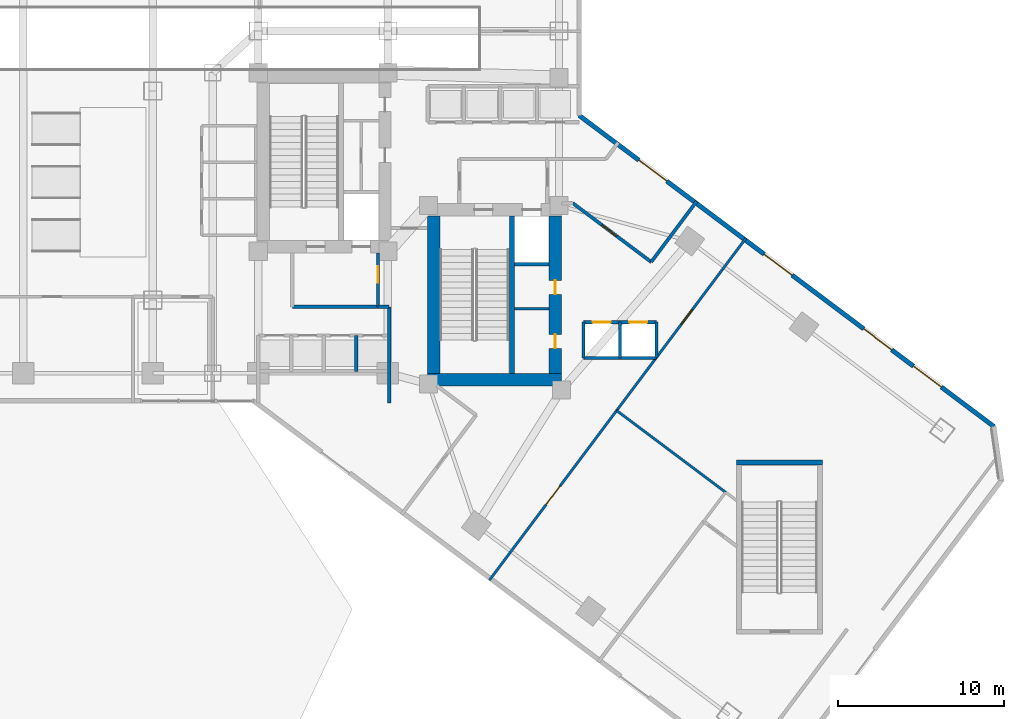
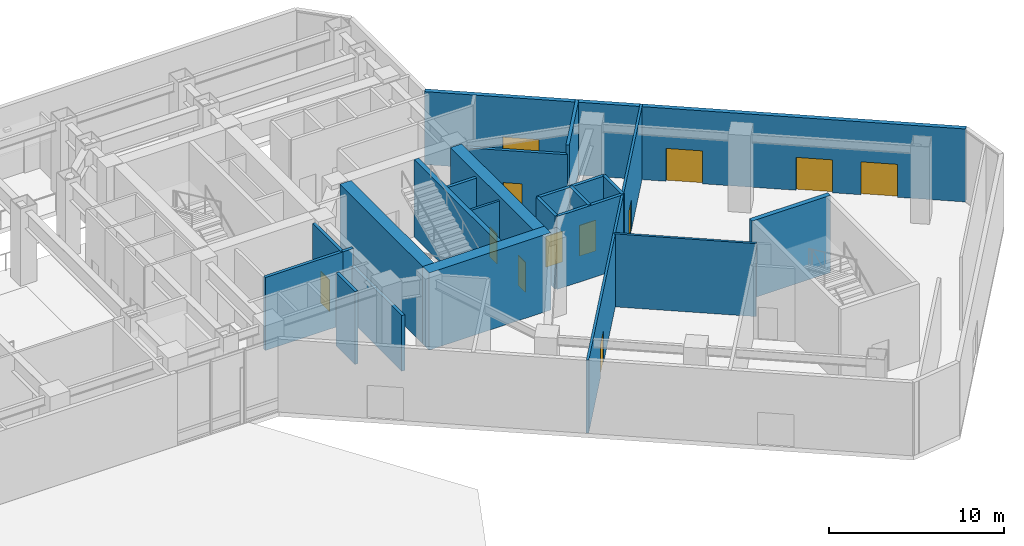
# One storey, part 5 of 13: 23 walls, 12 doors, 12 openings.
"""IFC4 building model written with IfcOpenShell, lengths in metres."""

from ifc_helpers import new_model, si_unit, direction, frame, frame_2d, origin, place, context, subcontext, project, spatial, rectangle, extrude, material, layer, layer_set, type_object, element, fill, save


model = new_model("IFC4")

# Units and contexts
model_context = context("Model", 3, precision=1e-05, world=origin(), true_north=direction((0.0, 1.0)))
body_context = subcontext(model_context, "Body", "Model", "MODEL_VIEW")
ifc_project = project(units=[si_unit("LENGTHUNIT", "METRE"), si_unit("AREAUNIT", "SQUARE_METRE"), si_unit("VOLUMEUNIT", "CUBIC_METRE"), si_unit("PLANEANGLEUNIT", "RADIAN"), si_unit("MASSUNIT", "GRAM", prefix="KILO")], contexts=[model_context])

# Site, building, storey
site_placement = place(None, origin())
site = spatial("IfcSite", under=ifc_project, at=site_placement, CompositionType="ELEMENT")
building_placement = place(site_placement, origin())
building = spatial("IfcBuilding", under=site, at=building_placement, Name="Hatsunagi Terrace Concourse", CompositionType="ELEMENT")
storey_placement = place(building_placement, origin())
storey = spatial("IfcBuildingStorey", under=building, at=storey_placement, Name="L01", CompositionType="ELEMENT", Elevation=0.0)

# Walls
ifc_material_1 = material(Name="Concrete Fc60", Category="concrete")
ifc_layer_1 = layer(ifc_material_1, 0.75)
ifc_layer_set_1 = layer_set([ifc_layer_1], Name="CoreShearWall_Fc60_750")
wall_type_1 = type_object("IfcWallType", Name="CoreShearWall_Fc60_750", PredefinedType="SHEAR", material=ifc_layer_set_1)
wall_1_placement = place(storey_placement, frame((35.739990234375, 24.81494140625, 0.0), z_axis=(0.0, 0.0, 1.0), x_axis=(1.0, 0.0, 0.0)))
element("IfcWall", 1, at=wall_1_placement, inside=storey, type_object=wall_type_1, Name="Core B Shear Wall S L01", PredefinedType="SHEAR", context=body_context, shape_type="SweptSolid", body=[
    extrude(rectangle(XDim=8.06005859375, YDim=0.75, at=frame_2d((4.030029296875, 0.0))), origin(), (0.0, 0.0, 1.0), 5.39990234375),
])
wall_2_placement = place(storey_placement, frame((36.114990234375, 25.18994140625, 0.0), z_axis=(0.0, 0.0, 1.0), x_axis=(0.0, 1.0, 0.0)))
element("IfcWall", 2, at=wall_2_placement, inside=storey, type_object=wall_type_1, Name="Core B Shear Wall W L01", PredefinedType="SHEAR", context=body_context, shape_type="SweptSolid", body=[
    extrude(rectangle(XDim=9.47998046875, YDim=0.75, at=frame_2d((4.739990234375, 0.0))), origin(), (0.0, 0.0, 1.0), 5.39990234375),
])

# Wall, openings, doors
wall_3_placement = place(storey_placement, frame((43.425048828125, 25.18994140625, 0.0), z_axis=(0.0, 0.0, 1.0), x_axis=(0.0, 1.0, 0.0)))
wall_3 = element("IfcWall", 3, at=wall_3_placement, inside=storey, type_object=wall_type_1, Name="Core B Shear Wall E L01", PredefinedType="SHEAR", context=body_context, shape_type="SweptSolid", body=[
    extrude(rectangle(XDim=9.47998046875, YDim=0.75, at=frame_2d((4.739990234375, 0.0))), origin(), (0.0, 0.0, 1.0), 5.39990234375),
])
opening_1_placement = place(wall_3_placement, frame((1.510009765625, 0.0, 0.0)))
opening_1 = element("IfcOpeningElement", 4, at=opening_1_placement, cuts=wall_3, Name="Opening DR-085", PredefinedType="OPENING", context=body_context, shape_type="SweptSolid", body=[
    extrude(rectangle(XDim=0.85009765625, YDim=2.080078125, at=frame_2d((0.425048828125, 1.0400390625))), frame((0.0, 0.385009765625, 0.0), z_axis=(0.0, -1.0, 0.0), x_axis=(1.0, 0.0, 0.0)), (0.0, 0.0, 1.0), 0.77001953125),
])
opening_2_placement = place(wall_3_placement, frame((4.760009765625, 0.0, 0.0)))
opening_2 = element("IfcOpeningElement", 5, at=opening_2_placement, cuts=wall_3, Name="Opening DR-085", PredefinedType="OPENING", context=body_context, shape_type="SweptSolid", body=[
    extrude(rectangle(XDim=0.85009765625, YDim=2.080078125, at=frame_2d((0.425048828125, 1.0400390625))), frame((0.0, 0.385009765625, 0.0), z_axis=(0.0, -1.0, 0.0), x_axis=(1.0, 0.0, 0.0)), (0.0, 0.0, 1.0), 0.77001953125),
])
ifc_material_2 = material(Name="Painted steel", Category="steel")
door_type_1 = type_object("IfcDoorType", Name="RiserAccessDoor_EI60_850", OperationType="NOTDEFINED", PredefinedType="DOOR", material=ifc_material_2)
door_1_placement = place(opening_1_placement, origin())
door_1 = element("IfcDoor", 6, at=door_1_placement, inside=storey, type_object=door_type_1, Name="Core B Riser Door L01-1", OperationType="SINGLE_SWING_RIGHT", OverallHeight=2.080078125, OverallWidth=0.85009765625, PredefinedType="DOOR", context=body_context, shape_type="SweptSolid", body=[
    extrude(rectangle(XDim=0.85009765625, YDim=2.080078125, at=frame_2d((0.425048828125, 1.0400390625))), frame((0.0, 0.02490234375, 0.0), z_axis=(0.0, -1.0, 0.0), x_axis=(1.0, 0.0, 0.0)), (0.0, 0.0, 1.0), 0.050048828125),
])
fill(opening_1, door_1)
door_2_placement = place(opening_2_placement, origin())
door_2 = element("IfcDoor", 7, at=door_2_placement, inside=storey, type_object=door_type_1, Name="Core B Riser Door L01-2", OperationType="SINGLE_SWING_RIGHT", OverallHeight=2.080078125, OverallWidth=0.85009765625, PredefinedType="DOOR", context=body_context, shape_type="SweptSolid", body=[
    extrude(rectangle(XDim=0.85009765625, YDim=2.080078125, at=frame_2d((0.425048828125, 1.0400390625))), frame((0.0, 0.02490234375, 0.0), z_axis=(0.0, -1.0, 0.0), x_axis=(1.0, 0.0, 0.0)), (0.0, 0.0, 1.0), 0.050048828125),
])
fill(opening_2, door_2)

# Walls
ifc_material_3 = material(Name="Concrete Fc48", Category="concrete")
ifc_layer_2 = layer(ifc_material_3, 0.300048828125)
ifc_layer_set_2 = layer_set([ifc_layer_2], Name="CoreStairDivider_Fc48_300")
wall_type_2 = type_object("IfcWallType", Name="CoreStairDivider_Fc48_300", PredefinedType="SHEAR", material=ifc_layer_set_2)
wall_4_placement = place(storey_placement, frame((40.81005859375, 25.18994140625, 0.0), z_axis=(0.0, 0.0, 1.0), x_axis=(0.0, 1.0, 0.0)))
element("IfcWall", 8, at=wall_4_placement, inside=storey, type_object=wall_type_2, Name="Core B Shear Wall D L01", PredefinedType="SHEAR", context=body_context, shape_type="SweptSolid", body=[
    extrude(rectangle(XDim=9.47998046875, YDim=0.300048828125, at=frame_2d((4.739990234375, 0.0))), origin(), (0.0, 0.0, 1.0), 5.39990234375),
])
wall_5_placement = place(storey_placement, frame((54.340087890625, 19.820068359375, 0.0), z_axis=(0.0, 0.0, 1.0), x_axis=(1.0, 0.0, 0.0)))
element("IfcWall", 9, at=wall_5_placement, inside=storey, type_object=wall_type_2, Name="Podium Stair P2 Shear Wall N L01", PredefinedType="SHEAR", context=body_context, shape_type="SweptSolid", body=[
    extrude(rectangle(XDim=5.169921875, YDim=0.300048828125, at=frame_2d((2.5849609375, 0.0))), origin(), (0.0, 0.0, 1.0), 5.39990234375),
])
ifc_material_4 = material(Name="Acoustic mineral board", Category="gypsum")
ifc_layer_3 = layer(ifc_material_4, 0.14990234375)
ifc_layer_set_3 = layer_set([ifc_layer_3], Name="PartitionWall_EI60_150")
wall_type_3 = type_object("IfcWallType", Name="PartitionWall_EI60_150", PredefinedType="PARTITIONING", material=ifc_layer_set_3)
wall_6_placement = place(storey_placement, frame((40.969970703125, 29.10009765625, 0.0), z_axis=(0.0, 0.0, 1.0), x_axis=(1.0, 0.0, 0.0)))
element("IfcWall", 10, at=wall_6_placement, inside=storey, type_object=wall_type_3, Name="Interior Partition IW-L01-005", PredefinedType="PARTITIONING", context=body_context, shape_type="SweptSolid", body=[
    extrude(rectangle(XDim=2.080078125, YDim=0.14990234375, at=frame_2d((1.0400390625, 0.0))), origin(), (0.0, 0.0, 1.0), 5.10009765625),
])
wall_7_placement = place(storey_placement, frame((47.1201171875, 22.9599609375, 0.0), z_axis=(0.0, 0.0, 1.0), x_axis=(0.799996427111, -0.600004763822, 0.0)))
element("IfcWall", 11, at=wall_7_placement, inside=storey, type_object=wall_type_3, Name="Interior Partition IW-L01-056", PredefinedType="PARTITIONING", context=body_context, shape_type="SweptSolid", body=[
    extrude(rectangle(XDim=8.19970703125, YDim=0.14990234375, at=frame_2d((4.099853515625, 0.0))), origin(), (0.0, 0.0, 1.0), 5.10009765625),
])

# Wall, opening, door
wall_8_placement = place(storey_placement, frame((39.464111328125, 12.751953125, 0.0), z_axis=(0.0, 0.0, 1.0), x_axis=(0.6, 0.8, 0.0)))
wall_8 = element("IfcWall", 12, at=wall_8_placement, inside=storey, type_object=wall_type_3, Name="Interior Partition IW-L01-057", PredefinedType="PARTITIONING", context=body_context, shape_type="SweptSolid", body=[
    extrude(rectangle(XDim=12.760009765625, YDim=0.14990234375, at=frame_2d((6.3798828125, 0.0))), origin(), (0.0, 0.0, 1.0), 5.10009765625),
])
opening_3_placement = place(wall_8_placement, frame((5.679931640625, 0.0, 0.0)))
opening_3 = element("IfcOpeningElement", 13, at=opening_3_placement, cuts=wall_8, Name="Opening DR-140", PredefinedType="OPENING", context=body_context, shape_type="SweptSolid", body=[
    extrude(rectangle(XDim=1.39990234375, YDim=2.300048828125, at=frame_2d((0.699951171875, 1.14990234375))), frame((0.0, 0.0849609375, 0.0), z_axis=(0.0, -1.0, 0.0), x_axis=(1.0, 0.0, 0.0)), (0.0, 0.0, 1.0), 0.169921875),
])
ifc_material_5 = material(Name="Hardwood timber", Category="wood")
door_type_2 = type_object("IfcDoorType", Name="LoungeDiningDoubleDoor_1400", OperationType="DOUBLE_DOOR_SINGLE_SWING", PredefinedType="DOOR", material=ifc_material_5)
door_3_placement = place(opening_3_placement, origin())
door_3 = element("IfcDoor", 14, at=door_3_placement, inside=storey, type_object=door_type_2, Name="Hotel Entrance Lobby L01-HLOB Door", OperationType="DOUBLE_DOOR_SINGLE_SWING", OverallHeight=2.300048828125, OverallWidth=1.39990234375, PredefinedType="DOOR", context=body_context, shape_type="SweptSolid", body=[
    extrude(rectangle(XDim=1.39990234375, YDim=2.300048828125, at=frame_2d((0.699951171875, 1.14990234375))), frame((0.0, 0.02490234375, 0.0), z_axis=(0.0, -1.0, 0.0), x_axis=(1.0, 0.0, 0.0)), (0.0, 0.0, 1.0), 0.050048828125),
])
fill(opening_3, door_3)

wall_9_placement = place(storey_placement, frame((47.1201171875, 22.9599609375, 0.0), z_axis=(0.0, 0.0, 1.0), x_axis=(0.599996985882, 0.80000226058, 0.0)))
wall_9 = element("IfcWall", 15, at=wall_9_placement, inside=storey, type_object=wall_type_3, Name="Interior Partition IW-L01-060", PredefinedType="PARTITIONING", context=body_context, shape_type="SweptSolid", body=[
    extrude(rectangle(XDim=12.9599609375, YDim=0.14990234375, at=frame_2d((6.47998046875, 0.0))), origin(), (0.0, 0.0, 1.0), 5.10009765625),
])
opening_4_placement = place(wall_9_placement, frame((6.485107421875, 0.0, 0.0)))
opening_4 = element("IfcOpeningElement", 16, at=opening_4_placement, cuts=wall_9, Name="Opening DR-110W", PredefinedType="OPENING", context=body_context, shape_type="SweptSolid", body=[
    extrude(rectangle(XDim=1.10009765625, YDim=2.159912109375, at=frame_2d((0.550048828125, 1.080078125))), frame((0.0, 0.0849609375, 0.0), z_axis=(0.0, -1.0, 0.0), x_axis=(1.0, 0.0, 0.0)), (0.0, 0.0, 1.0), 0.169921875),
])
ifc_material_6 = material(Name="Hardwood timber", Category="wood")
door_type_3 = type_object("IfcDoorType", Name="SuiteWideDoor_EI30_1100", OperationType="NOTDEFINED", PredefinedType="DOOR", material=ifc_material_6)
door_4_placement = place(opening_4_placement, origin())
door_4 = element("IfcDoor", 17, at=door_4_placement, inside=storey, type_object=door_type_3, Name="Retail Gallery L01-RET2 Door", OperationType="SINGLE_SWING_RIGHT", OverallHeight=2.159912109375, OverallWidth=1.10009765625, PredefinedType="DOOR", context=body_context, shape_type="SweptSolid", body=[
    extrude(rectangle(XDim=1.10009765625, YDim=2.159912109375, at=frame_2d((0.550048828125, 1.080078125))), frame((0.0, 0.02490234375, 0.0), z_axis=(0.0, -1.0, 0.0), x_axis=(1.0, 0.0, 0.0)), (0.0, 0.0, 1.0), 0.050048828125),
])
fill(opening_4, door_4)

# Walls
ifc_material_7 = material(Name="Acoustic mineral board", Category="gypsum")
ifc_layer_4 = layer(ifc_material_7, 0.199951171875)
ifc_layer_set_4 = layer_set([ifc_layer_4], Name="ShaftWall_EI120_200")
wall_type_4 = type_object("IfcWallType", Name="ShaftWall_EI120_200", PredefinedType="STANDARD", material=ifc_layer_set_4)
wall_10_placement = place(storey_placement, frame((40.969970703125, 31.760009765625, 0.0), z_axis=(0.0, 0.0, 1.0), x_axis=(1.0, 0.0, 0.0)))
element("IfcWall", 18, at=wall_10_placement, inside=storey, type_object=wall_type_4, Name="Interior Partition IW-L01-004", PredefinedType="STANDARD", context=body_context, shape_type="SweptSolid", body=[
    extrude(rectangle(XDim=2.080078125, YDim=0.199951171875, at=frame_2d((1.0400390625, 0.0))), origin(), (0.0, 0.0, 1.0), 5.10009765625),
])
wall_11_placement = place(storey_placement, frame((27.60009765625, 29.199951171875, 0.0), z_axis=(0.0, 0.0, 1.0), x_axis=(1.0, 0.0, 0.0)))
element("IfcWall", 19, at=wall_11_placement, inside=storey, type_object=wall_type_4, Name="Interior Partition IW-L01-006", PredefinedType="STANDARD", context=body_context, shape_type="SweptSolid", body=[
    extrude(rectangle(XDim=5.14990234375, YDim=0.199951171875, at=frame_2d((2.574951171875, 0.0))), origin(), (0.0, 0.0, 1.0), 5.10009765625),
])

# Wall, opening, door
wall_12_placement = place(storey_placement, frame((32.75, 29.199951171875, 0.0), z_axis=(0.0, 0.0, 1.0), x_axis=(0.0, 1.0, 0.0)))
wall_12 = element("IfcWall", 20, at=wall_12_placement, inside=storey, type_object=wall_type_4, Name="Interior Partition IW-L01-008", PredefinedType="STANDARD", context=body_context, shape_type="SweptSolid", body=[
    extrude(rectangle(XDim=3.239990234375, YDim=0.199951171875, at=frame_2d((1.6201171875, 0.0))), origin(), (0.0, 0.0, 1.0), 5.10009765625),
])
opening_5_placement = place(wall_12_placement, frame((1.449951171875, 0.0, 0.0)))
opening_5 = element("IfcOpeningElement", 21, at=opening_5_placement, cuts=wall_12, Name="Opening DR-100F", PredefinedType="OPENING", context=body_context, shape_type="SweptSolid", body=[
    extrude(rectangle(XDim=1.0, YDim=2.199951171875, at=frame_2d((0.5, 1.10009765625))), frame((0.0, 0.10986328125, 0.0), z_axis=(0.0, -1.0, 0.0), x_axis=(1.0, 0.0, 0.0)), (0.0, 0.0, 1.0), 0.219970703125),
])
ifc_material_8 = material(Name="Painted steel", Category="steel")
door_type_4 = type_object("IfcDoorType", Name="FireDoor_EI60_1000", OperationType="NOTDEFINED", PredefinedType="DOOR", material=ifc_material_8)
door_5_placement = place(opening_5_placement, origin())
door_5 = element("IfcDoor", 22, at=door_5_placement, inside=storey, type_object=door_type_4, Name="Firefighting Lobby A Door L01", OperationType="SINGLE_SWING_RIGHT", OverallHeight=2.199951171875, OverallWidth=1.0, PredefinedType="DOOR", context=body_context, shape_type="SweptSolid", body=[
    extrude(rectangle(XDim=1.0, YDim=2.199951171875, at=frame_2d((0.5, 1.10009765625))), frame((0.0, 0.02490234375, 0.0), z_axis=(0.0, -1.0, 0.0), x_axis=(1.0, 0.0, 0.0)), (0.0, 0.0, 1.0), 0.050048828125),
])
fill(opening_5, door_5)

# Walls
wall_13_placement = place(storey_placement, frame((33.429931640625, 23.39990234375, 0.0), z_axis=(0.0, 0.0, 1.0), x_axis=(0.0, 1.0, 0.0)))
element("IfcWall", 23, at=wall_13_placement, inside=storey, type_object=wall_type_4, Name="Interior Partition IW-L01-013", PredefinedType="STANDARD", context=body_context, shape_type="SweptSolid", body=[
    extrude(rectangle(XDim=5.800048828125, YDim=0.199951171875, at=frame_2d((2.89990234375, 0.0))), origin(), (0.0, 0.0, 1.0), 3.89501953125),
])
wall_14_placement = place(storey_placement, frame((31.449951171875, 25.320068359375, 0.0), z_axis=(0.0, 0.0, 1.0), x_axis=(0.0, 1.0, 0.0)))
element("IfcWall", 24, at=wall_14_placement, inside=storey, type_object=wall_type_4, Name="Interior Partition IW-L01-017", PredefinedType="STANDARD", context=body_context, shape_type="SweptSolid", body=[
    extrude(rectangle(XDim=2.159912109375, YDim=0.199951171875, at=frame_2d((1.080078125, 0.0))), origin(), (0.0, 0.0, 1.0), 5.10009765625),
])
wall_15_placement = place(storey_placement, frame((45.1201171875, 26.1201171875, 0.0), z_axis=(0.0, 0.0, 1.0), x_axis=(1.0, 0.0, 0.0)))
element("IfcWall", 25, at=wall_15_placement, inside=storey, type_object=wall_type_4, Name="Interior Partition IW-L01-025", PredefinedType="STANDARD", context=body_context, shape_type="SweptSolid", body=[
    extrude(rectangle(XDim=4.39990234375, YDim=0.199951171875, at=frame_2d((2.199951171875, 0.0))), origin(), (0.0, 0.0, 1.0), 5.10009765625),
])
for number, where, z_axis, x_axis, name in (
    (26, (45.1201171875, 26.1201171875, 0.0), (0.0, 0.0, 1.0), (0.0, 1.0, 0.0), "Interior Partition IW-L01-026"),
    (27, (49.52001953125, 26.1201171875, 0.0), (0.0, 0.0, 1.0), (0.0, 1.0, 0.0), "Interior Partition IW-L01-027"),
    (28, (47.320068359375, 26.1201171875, 0.0), (0.0, 0.0, 1.0), (0.0, 1.0, 0.0), "Interior Partition IW-L01-028"),
):
    element("IfcWall", number, at=place(storey_placement, frame(where, z_axis=z_axis, x_axis=x_axis)), inside=storey, type_object=wall_type_4, Name=name, PredefinedType="STANDARD", context=body_context, shape_type="SweptSolid", body=[
        extrude(rectangle(XDim=2.159912109375, YDim=0.199951171875, at=frame_2d((1.080078125, 0.0))), origin(), (0.0, 0.0, 1.0), 5.10009765625),
    ])

# Wall, openings, doors
wall_16_placement = place(storey_placement, frame((45.1201171875, 28.280029296875, 0.0), z_axis=(0.0, 0.0, 1.0), x_axis=(1.0, 0.0, 0.0)))
wall_16 = element("IfcWall", 29, at=wall_16_placement, inside=storey, type_object=wall_type_4, Name="Interior Partition IW-L01-029", PredefinedType="STANDARD", context=body_context, shape_type="SweptSolid", body=[
    extrude(rectangle(XDim=4.39990234375, YDim=0.199951171875, at=frame_2d((2.199951171875, 0.0))), origin(), (0.0, 0.0, 1.0), 5.10009765625),
])
opening_6_placement = place(wall_16_placement, frame((0.56005859375, 0.0, 0.0)))
opening_6 = element("IfcOpeningElement", 30, at=opening_6_placement, cuts=wall_16, Name="Opening LD-03", PredefinedType="OPENING", context=body_context, shape_type="SweptSolid", body=[
    extrude(rectangle(XDim=1.080078125, YDim=2.14990234375, at=frame_2d((0.5400390625, 1.074951171875))), frame((0.0, 0.10986328125, 0.0), z_axis=(0.0, -1.0, 0.0), x_axis=(1.0, 0.0, 0.0)), (0.0, 0.0, 1.0), 0.219970703125),
])
opening_7_placement = place(wall_16_placement, frame((2.760009765625, 0.0, 0.0)))
opening_7 = element("IfcOpeningElement", 31, at=opening_7_placement, cuts=wall_16, Name="Opening LD-03", PredefinedType="OPENING", context=body_context, shape_type="SweptSolid", body=[
    extrude(rectangle(XDim=1.080078125, YDim=2.14990234375, at=frame_2d((0.5400390625, 1.074951171875))), frame((0.0, 0.10986328125, 0.0), z_axis=(0.0, -1.0, 0.0), x_axis=(1.0, 0.0, 0.0)), (0.0, 0.0, 1.0), 0.219970703125),
])
ifc_material_9 = material(Name="Stainless steel", Category="steel")
door_type_5 = type_object("IfcDoorType", Name="LiftLandingDoor_LD03", OperationType="SLIDING_TO_LEFT", PredefinedType="USERDEFINED", material=ifc_material_9)
door_6_placement = place(opening_6_placement, origin())
door_6 = element("IfcDoor", 32, at=door_6_placement, inside=storey, type_object=door_type_5, Name="Lift landing door PL-09 L01", ObjectType="SLIDING_LANDING_DOOR", OperationType="SLIDING_TO_LEFT", OverallHeight=2.14990234375, OverallWidth=1.080078125, PredefinedType="USERDEFINED", context=body_context, shape_type="SweptSolid", body=[
    extrude(rectangle(XDim=1.080078125, YDim=2.14990234375, at=frame_2d((0.5400390625, 1.074951171875))), frame((0.0, 0.02490234375, 0.0), z_axis=(0.0, -1.0, 0.0), x_axis=(1.0, 0.0, 0.0)), (0.0, 0.0, 1.0), 0.050048828125),
])
fill(opening_6, door_6)
door_7_placement = place(opening_7_placement, origin())
door_7 = element("IfcDoor", 33, at=door_7_placement, inside=storey, type_object=door_type_5, Name="Lift landing door PL-10 L01", ObjectType="SLIDING_LANDING_DOOR", OperationType="SLIDING_TO_LEFT", OverallHeight=2.14990234375, OverallWidth=1.080078125, PredefinedType="USERDEFINED", context=body_context, shape_type="SweptSolid", body=[
    extrude(rectangle(XDim=1.080078125, YDim=2.14990234375, at=frame_2d((0.5400390625, 1.074951171875))), frame((0.0, 0.02490234375, 0.0), z_axis=(0.0, -1.0, 0.0), x_axis=(1.0, 0.0, 0.0)), (0.0, 0.0, 1.0), 0.050048828125),
])
fill(opening_7, door_7)

# Wall
wall_17_placement = place(storey_placement, frame((32.75, 29.199951171875, 0.0), z_axis=(0.0, 0.0, 1.0), x_axis=(1.0, 0.0, 0.0)))
element("IfcWall", 34, at=wall_17_placement, inside=storey, type_object=wall_type_4, Name="Interior Partition IW-L01-048", PredefinedType="STANDARD", context=body_context, shape_type="SweptSolid", body=[
    extrude(rectangle(XDim=0.679931640625, YDim=0.199951171875, at=frame_2d((0.33984375, 0.0))), origin(), (0.0, 0.0, 1.0), 5.10009765625),
])

# Wall, opening, door
wall_18_placement = place(storey_placement, frame((44.47998046875, 35.43994140625, 0.0), z_axis=(0.0, 0.0, 1.0), x_axis=(0.799995034401, -0.600006620742, 0.0)))
wall_18 = element("IfcWall", 35, at=wall_18_placement, inside=storey, type_object=wall_type_4, Name="Interior Partition IW-L01-054", PredefinedType="STANDARD", context=body_context, shape_type="SweptSolid", body=[
    extrude(rectangle(XDim=5.89990234375, YDim=0.199951171875, at=frame_2d((2.949951171875, 0.0))), origin(), (0.0, 0.0, 1.0), 4.4951171875),
])
opening_8_placement = place(wall_18_placement, frame((2.197998046875, 0.0, 0.0)))
opening_8 = element("IfcOpeningElement", 36, at=opening_8_placement, cuts=wall_18, Name="Opening DR-110F", PredefinedType="OPENING", context=body_context, shape_type="SweptSolid", body=[
    extrude(rectangle(XDim=1.10009765625, YDim=2.239990234375, at=frame_2d((0.550048828125, 1.1201171875))), frame((0.0, 0.10986328125, 0.0), z_axis=(0.0, -1.0, 0.0), x_axis=(1.0, 0.0, 0.0)), (0.0, 0.0, 1.0), 0.219970703125),
])
ifc_material_10 = material(Name="Painted steel", Category="steel")
door_type_6 = type_object("IfcDoorType", Name="FireDoor_EI60_1100", OperationType="NOTDEFINED", PredefinedType="DOOR", material=ifc_material_10)
door_8_placement = place(opening_8_placement, origin())
door_8 = element("IfcDoor", 37, at=door_8_placement, inside=storey, type_object=door_type_6, Name="Exit Passageway EXP4 Concourse Door L01", OperationType="SINGLE_SWING_LEFT", OverallHeight=2.239990234375, OverallWidth=1.10009765625, PredefinedType="DOOR", context=body_context, shape_type="SweptSolid", body=[
    extrude(rectangle(XDim=1.10009765625, YDim=2.239990234375, at=frame_2d((0.550048828125, 1.1201171875))), frame((0.0, 0.02490234375, 0.0), z_axis=(0.0, -1.0, 0.0), x_axis=(1.0, 0.0, 0.0)), (0.0, 0.0, 1.0), 0.050048828125),
])
fill(opening_8, door_8)

# Wall
wall_19_placement = place(storey_placement, frame((49.199951171875, 31.89990234375, 0.0), z_axis=(0.0, 0.0, 1.0), x_axis=(0.599991434013, 0.800006424419, 0.0)))
element("IfcWall", 38, at=wall_19_placement, inside=storey, type_object=wall_type_4, Name="Interior Partition IW-L01-055", PredefinedType="STANDARD", context=body_context, shape_type="SweptSolid", body=[
    extrude(rectangle(XDim=4.560302734375, YDim=0.199951171875, at=frame_2d((2.2802734375, 0.0))), origin(), (0.0, 0.0, 1.0), 5.10009765625),
])

# Wall, openings, doors
ifc_material_11 = material(Name="Autoclaved Lightweight Concrete and Terracotta Cladding", Category="masonry")
ifc_layer_5 = layer(ifc_material_11, 0.280029296875)
ifc_layer_set_5 = layer_set([ifc_layer_5], Name="TerracottaSpandrelWall_280")
wall_type_5 = type_object("IfcWallType", Name="TerracottaSpandrelWall_280", PredefinedType="STANDARD", material=ifc_layer_set_5)
wall_20_placement = place(storey_placement, frame((44.860107421875, 40.72998046875, 0.0), z_axis=(0.0, 0.0, 1.0), x_axis=(0.800006570398, -0.599991239369, 0.0)))
wall_20 = element("IfcWall", 39, at=wall_20_placement, inside=storey, type_object=wall_type_5, Name="Exterior Spandrel Wall EW-L01-01", PredefinedType="STANDARD", context=body_context, shape_type="SweptSolid", body=[
    extrude(rectangle(XDim=31.212158203125, YDim=0.280029296875, at=frame_2d((15.60595703125, 0.0))), origin(), (0.0, 0.0, 1.0), 5.10009765625),
])
opening_9_placement = place(wall_20_placement, frame((4.5, 0.0, 0.0)))
opening_9 = element("IfcOpeningElement", 40, at=opening_9_placement, cuts=wall_20, Name="Opening EX-04", PredefinedType="OPENING", context=body_context, shape_type="SweptSolid", body=[
    extrude(rectangle(XDim=2.10009765625, YDim=2.300048828125, at=frame_2d((1.050048828125, 1.14990234375))), frame((0.0, 0.14990234375, 0.0), z_axis=(0.0, -1.0, 0.0), x_axis=(1.0, 0.0, 0.0)), (0.0, 0.0, 1.0), 0.300048828125),
])
opening_10_placement = place(wall_20_placement, frame((13.931884765625, 0.0, 0.0)))
opening_10 = element("IfcOpeningElement", 41, at=opening_10_placement, cuts=wall_20, Name="Opening EX-05", PredefinedType="OPENING", context=body_context, shape_type="SweptSolid", body=[
    extrude(rectangle(XDim=2.10009765625, YDim=2.300048828125, at=frame_2d((1.050048828125, 1.14990234375))), frame((0.0, 0.14990234375, 0.0), z_axis=(0.0, -1.0, 0.0), x_axis=(1.0, 0.0, 0.0)), (0.0, 0.0, 1.0), 0.300048828125),
])
opening_11_placement = place(wall_20_placement, frame((21.423095703125, 0.0, 0.0)))
opening_11 = element("IfcOpeningElement", 42, at=opening_11_placement, cuts=wall_20, Name="Opening EX-06", PredefinedType="OPENING", context=body_context, shape_type="SweptSolid", body=[
    extrude(rectangle(XDim=2.10009765625, YDim=2.300048828125, at=frame_2d((1.050048828125, 1.14990234375))), frame((0.0, 0.14990234375, 0.0), z_axis=(0.0, -1.0, 0.0), x_axis=(1.0, 0.0, 0.0)), (0.0, 0.0, 1.0), 0.300048828125),
])
opening_12_placement = place(wall_20_placement, frame((25.16796875, 0.0, 0.0)))
opening_12 = element("IfcOpeningElement", 43, at=opening_12_placement, cuts=wall_20, Name="Opening EX-07", PredefinedType="OPENING", context=body_context, shape_type="SweptSolid", body=[
    extrude(rectangle(XDim=2.10009765625, YDim=2.300048828125, at=frame_2d((1.050048828125, 1.14990234375))), frame((0.0, 0.14990234375, 0.0), z_axis=(0.0, -1.0, 0.0), x_axis=(1.0, 0.0, 0.0)), (0.0, 0.0, 1.0), 0.300048828125),
])
ifc_material_12 = material(Name="Galvanised Steel and Laminated Safety Glass", Category="steel")
door_type_7 = type_object("IfcDoorType", Name="ExteriorExitDoor_EX04", OperationType="DOUBLE_SWING_LEFT", PredefinedType="DOOR", material=ifc_material_12)
door_9_placement = place(opening_9_placement, origin())
door_9 = element("IfcDoor", 44, at=door_9_placement, inside=storey, type_object=door_type_7, Name="Grade Final Exit Door EX-04 (ST-B Protected Exit Passageway EXP4)", OperationType="DOUBLE_SWING_LEFT", OverallHeight=2.300048828125, OverallWidth=2.10009765625, PredefinedType="DOOR", context=body_context, shape_type="SweptSolid", body=[
    extrude(rectangle(XDim=2.10009765625, YDim=2.300048828125, at=frame_2d((1.050048828125, 1.14990234375))), frame((0.0, 0.02490234375, 0.0), z_axis=(0.0, -1.0, 0.0), x_axis=(1.0, 0.0, 0.0)), (0.0, 0.0, 1.0), 0.050048828125),
])
fill(opening_9, door_9)
ifc_material_13 = material(Name="Galvanised Steel and Laminated Safety Glass", Category="steel")
door_type_8 = type_object("IfcDoorType", Name="ExteriorExitDoor_EX05", OperationType="DOUBLE_SWING_LEFT", PredefinedType="DOOR", material=ifc_material_13)
door_10_placement = place(opening_10_placement, origin())
door_10 = element("IfcDoor", 45, at=door_10_placement, inside=storey, type_object=door_type_8, Name="Grade Final Exit Door EX-05", OperationType="DOUBLE_SWING_LEFT", OverallHeight=2.300048828125, OverallWidth=2.10009765625, PredefinedType="DOOR", context=body_context, shape_type="SweptSolid", body=[
    extrude(rectangle(XDim=2.10009765625, YDim=2.300048828125, at=frame_2d((1.050048828125, 1.14990234375))), frame((0.0, 0.02490234375, 0.0), z_axis=(0.0, -1.0, 0.0), x_axis=(1.0, 0.0, 0.0)), (0.0, 0.0, 1.0), 0.050048828125),
])
fill(opening_10, door_10)
ifc_material_14 = material(Name="Galvanised Steel and Laminated Safety Glass", Category="steel")
door_type_9 = type_object("IfcDoorType", Name="ExteriorExitDoor_EX06", OperationType="DOUBLE_SWING_LEFT", PredefinedType="DOOR", material=ifc_material_14)
door_11_placement = place(opening_11_placement, origin())
door_11 = element("IfcDoor", 46, at=door_11_placement, inside=storey, type_object=door_type_9, Name="Grade Final Exit Door EX-06", OperationType="DOUBLE_SWING_LEFT", OverallHeight=2.300048828125, OverallWidth=2.10009765625, PredefinedType="DOOR", context=body_context, shape_type="SweptSolid", body=[
    extrude(rectangle(XDim=2.10009765625, YDim=2.300048828125, at=frame_2d((1.050048828125, 1.14990234375))), frame((0.0, 0.02490234375, 0.0), z_axis=(0.0, -1.0, 0.0), x_axis=(1.0, 0.0, 0.0)), (0.0, 0.0, 1.0), 0.050048828125),
])
fill(opening_11, door_11)
ifc_material_15 = material(Name="Galvanised Steel and Laminated Safety Glass", Category="steel")
door_type_10 = type_object("IfcDoorType", Name="ExteriorExitDoor_EX07", OperationType="DOUBLE_SWING_LEFT", PredefinedType="DOOR", material=ifc_material_15)
door_12_placement = place(opening_12_placement, origin())
door_12 = element("IfcDoor", 47, at=door_12_placement, inside=storey, type_object=door_type_10, Name="Grade Final Exit Door EX-07", OperationType="DOUBLE_SWING_LEFT", OverallHeight=2.300048828125, OverallWidth=2.10009765625, PredefinedType="DOOR", context=body_context, shape_type="SweptSolid", body=[
    extrude(rectangle(XDim=2.10009765625, YDim=2.300048828125, at=frame_2d((1.050048828125, 1.14990234375))), frame((0.0, 0.02490234375, 0.0), z_axis=(0.0, -1.0, 0.0), x_axis=(1.0, 0.0, 0.0)), (0.0, 0.0, 1.0), 0.050048828125),
])
fill(opening_12, door_12)

save(model, "model.ifc")
